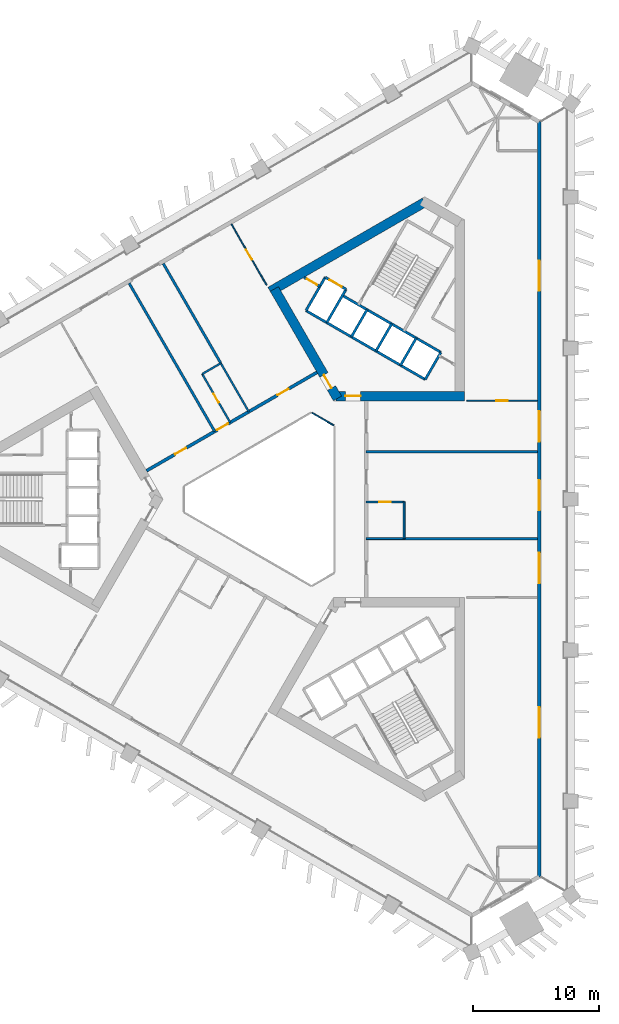
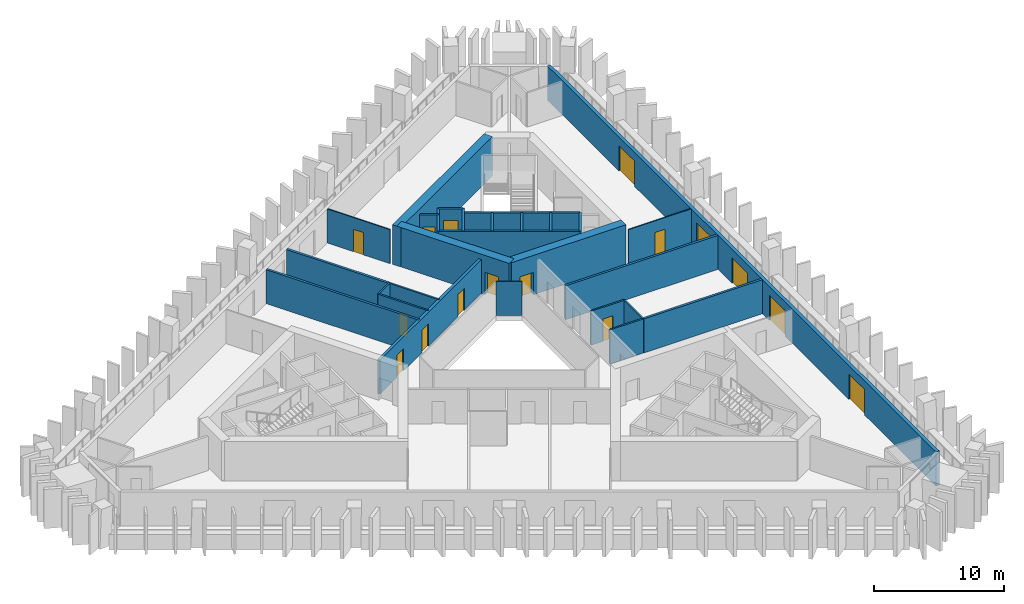
# One storey, part 5 of 10: 28 walls, 16 doors, 16 openings.
"""IFC4 building model written with IfcOpenShell, lengths in metres."""

from ifc_helpers import new_model, si_unit, direction, frame, frame_2d, origin, place, context, subcontext, project, spatial, rectangle, extrude, material, layer, layer_set, type_object, element, fill, save


model = new_model("IFC4")

# Units and contexts
model_context = context("Model", 3, precision=1e-05, world=origin(), true_north=direction((0.0, 1.0)))
body_context = subcontext(model_context, "Body", "Model", "MODEL_VIEW")
ifc_project = project(units=[si_unit("LENGTHUNIT", "METRE"), si_unit("AREAUNIT", "SQUARE_METRE"), si_unit("VOLUMEUNIT", "CUBIC_METRE"), si_unit("PLANEANGLEUNIT", "RADIAN"), si_unit("MASSUNIT", "GRAM", prefix="KILO")], contexts=[model_context])

# Site, building, storey
site_placement = place(None, origin())
site = spatial("IfcSite", under=ifc_project, at=site_placement, CompositionType="ELEMENT")
building_placement = place(site_placement, origin())
building = spatial("IfcBuilding", under=site, at=building_placement, Name="Jabali Bay Hotel Tower and Convention Centre", CompositionType="ELEMENT")
storey_placement = place(building_placement, frame((0.0, 0.0, 64.699951171875)))
storey = spatial("IfcBuildingStorey", under=building, at=storey_placement, Name="L14", CompositionType="ELEMENT", Elevation=64.699951171875)

# Wall
ifc_material_1 = material(Name="Fire-resistant glazing", Category="glass")
ifc_layer_1 = layer(ifc_material_1, 0.10009765625)
ifc_layer_set_1 = layer_set([ifc_layer_1], Name="Fire-resistant glazing")
wall_type_1 = type_object("IfcWallType", Name="Atrium glazed screen 100", PredefinedType="PARTITIONING", material=ifc_layer_set_1)
wall_1_placement = place(storey_placement, frame((79.530029296875, 85.84619140625, 0.0), z_axis=(0.0, 0.0, 1.0), x_axis=(-0.866041268327, 0.499972520799, 0.0)))
element("IfcWall", 1, at=wall_1_placement, inside=storey, type_object=wall_type_1, Name="Atrium screen 2 L14", PredefinedType="PARTITIONING", context=body_context, shape_type="SweptSolid", body=[
    extrude(rectangle(XDim=2.0, YDim=0.10009765625, at=frame_2d((1.0, 0.0))), origin(), (0.0, 0.0, 1.0), 3.199951171875),
])

# Wall, opening, door
ifc_material_2 = material(Name="Concrete C40", Category="concrete")
ifc_layer_2 = layer(ifc_material_2, 0.199951171875)
ifc_layer_set_2 = layer_set([ifc_layer_2], Name="Concrete C40")
wall_type_2 = type_object("IfcWallType", Name="Core partition wall 200", PredefinedType="PARTITIONING", material=ifc_layer_set_2)
wall_2_placement = place(storey_placement, frame((78.43017578125, 96.84130859375, 0.0), z_axis=(0.0, 0.0, 1.0), x_axis=(-0.866045896294, 0.499964504253, 0.0)))
wall_2 = element("IfcWall", 2, at=wall_2_placement, inside=storey, type_object=wall_type_2, Name="Core wall 1.12 L14", PredefinedType="PARTITIONING", context=body_context, shape_type="SweptSolid", body=[
    extrude(rectangle(XDim=1.455078125, YDim=0.199951171875, at=frame_2d((0.7275390625, 0.0))), origin(), (0.0, 0.0, 1.0), 3.199951171875),
])
opening_1_placement = place(wall_2_placement, frame((0.277587890625, 0.0, 0.0)))
opening_1 = element("IfcOpeningElement", 3, at=opening_1_placement, cuts=wall_2, Name="Opening D374", PredefinedType="OPENING", context=body_context, shape_type="SweptSolid", body=[
    extrude(rectangle(XDim=0.89990234375, YDim=2.10009765625, at=frame_2d((0.449951171875, 1.050048828125))), frame((0.0, 0.1103515625, 0.0), z_axis=(0.0, -1.0, 0.0), x_axis=(1.0, 0.0, 0.0)), (0.0, 0.0, 1.0), 0.220947265625),
])
ifc_material_3 = material(Name="Fire-rated steel door", Category="steel")
door_type_1 = type_object("IfcDoorType", Name="Vestibule fire door 900 x 2100", OperationType="NOTDEFINED", PredefinedType="NOTDEFINED", material=ifc_material_3)
door_1_placement = place(opening_1_placement, origin())
door_1 = element("IfcDoor", 4, at=door_1_placement, inside=storey, type_object=door_type_1, Name="Vestibule fire door D374", OperationType="SINGLE_SWING_LEFT", OverallHeight=2.10009765625, OverallWidth=0.89990234375, PredefinedType="NOTDEFINED", context=body_context, shape_type="SweptSolid", body=[
    extrude(rectangle(XDim=0.89990234375, YDim=2.10009765625, at=frame_2d((0.449951171875, 1.050048828125))), frame((0.0, 0.02490234375, 0.0), z_axis=(0.0, -1.0, 0.0), x_axis=(1.0, 0.0, 0.0)), (0.0, 0.0, 1.0), 0.050048828125),
])
fill(opening_1, door_1)

# Walls
ifc_layer_3 = layer(ifc_material_2, 0.199951171875)
ifc_layer_set_3 = layer_set([ifc_layer_3], Name="Concrete C40")
wall_type_3 = type_object("IfcWallType", Name="Core stair wall 200", PredefinedType="SOLIDWALL", material=ifc_layer_set_3)
for number, where, z_axis, x_axis, name in (
    (5, (86.769775390625, 89.48583984375, 0.0), (0.0, 0.0, 1.0), (0.499961042966, 0.86604789447, 0.0), "Core wall 1.0 L14"),
    (6, (84.8212890625, 90.61083984375, 0.0), (0.0, 0.0, 1.0), (0.499961042966, 0.86604789447, 0.0), "Core wall 1.2 L14"),
    (7, (82.872802734375, 91.73583984375, 0.0), (0.0, 0.0, 1.0), (0.499961042966, 0.86604789447, 0.0), "Core wall 1.4 L14"),
    (8, (80.924072265625, 92.86083984375, 0.0), (0.0, 0.0, 1.0), (0.499961042966, 0.86604789447, 0.0), "Core wall 1.6 L14"),
):
    element("IfcWall", number, at=place(storey_placement, frame(where, z_axis=z_axis, x_axis=x_axis)), inside=storey, type_object=wall_type_3, Name=name, PredefinedType="SOLIDWALL", context=body_context, shape_type="SweptSolid", body=[
        extrude(rectangle(XDim=2.480224609375, YDim=0.199951171875, at=frame_2d((1.240234375, 0.0))), origin(), (0.0, 0.0, 1.0), 3.199951171875),
    ])
for number, where, z_axis, x_axis, name in (
    (9, (78.9755859375, 93.98583984375, 0.0), (0.0, 0.0, 1.0), (0.499944174705, 0.866057632134, 0.0), "Core wall 1.8 L14"),
    (10, (77.330078125, 94.93603515625, 0.0), (0.0, 0.0, 1.0), (0.500038867431, 0.8660029625, 0.0), "Core wall 1.9 L14"),
):
    element("IfcWall", number, at=place(storey_placement, frame(where, z_axis=z_axis, x_axis=x_axis)), inside=storey, type_object=wall_type_3, Name=name, PredefinedType="SOLIDWALL", context=body_context, shape_type="SweptSolid", body=[
        extrude(rectangle(XDim=3.050048828125, YDim=0.199951171875, at=frame_2d((1.52490234375, 0.0))), origin(), (0.0, 0.0, 1.0), 3.199951171875),
    ])
wall_3_placement = place(storey_placement, frame((86.769775390625, 89.48583984375, 0.0), z_axis=(0.0, 0.0, 1.0), x_axis=(-0.86601811187, 0.500012629753, 0.0)))
element("IfcWall", 11, at=wall_3_placement, inside=storey, type_object=wall_type_3, Name="Core wall 1.10 L14", PredefinedType="SOLIDWALL", context=body_context, shape_type="SweptSolid", body=[
    extrude(rectangle(XDim=10.900146484375, YDim=0.199951171875, at=frame_2d((5.4501953125, 0.0))), origin(), (0.0, 0.0, 1.0), 3.199951171875),
])
wall_4_placement = place(storey_placement, frame((88.009765625, 91.6337890625, 0.0), z_axis=(0.0, 0.0, 1.0), x_axis=(-0.866024315419, 0.5000018851, 0.0)))
element("IfcWall", 12, at=wall_4_placement, inside=storey, type_object=wall_type_3, Name="Core wall 1.13 L14", PredefinedType="SOLIDWALL", context=body_context, shape_type="SweptSolid", body=[
    extrude(rectangle(XDim=9.0, YDim=0.199951171875, at=frame_2d((4.5, 0.0))), origin(), (0.0, 0.0, 1.0), 3.199951171875),
])

# Wall, opening, door
wall_5_placement = place(storey_placement, frame((80.50048828125, 96.62744140625, 0.0), z_axis=(0.0, 0.0, 1.0), x_axis=(-0.86601224135, 0.500022797313, 0.0)))
wall_5 = element("IfcWall", 13, at=wall_5_placement, inside=storey, type_object=wall_type_3, Name="Core wall 1.14 L14", PredefinedType="SOLIDWALL", context=body_context, shape_type="SweptSolid", body=[
    extrude(rectangle(XDim=1.89990234375, YDim=0.199951171875, at=frame_2d((0.949951171875, 0.0))), origin(), (0.0, 0.0, 1.0), 3.199951171875),
])
opening_2_placement = place(wall_5_placement, frame((0.39990234375, 0.0, 0.0)))
opening_2 = element("IfcOpeningElement", 14, at=opening_2_placement, cuts=wall_5, Name="Opening LD10-L14", PredefinedType="OPENING", context=body_context, shape_type="SweptSolid", body=[
    extrude(rectangle(XDim=1.10009765625, YDim=2.10009765625, at=frame_2d((0.550048828125, 1.050048828125))), frame((0.0, 0.1103515625, 0.0), z_axis=(0.0, -1.0, 0.0), x_axis=(1.0, 0.0, 0.0)), (0.0, 0.0, 1.0), 0.220947265625),
])
ifc_material_4 = material(Name="Stainless steel landing door", Category="steel")
door_type_2 = type_object("IfcDoorType", Name="Landing door 1100 x 2100", OperationType="NOTDEFINED", PredefinedType="NOTDEFINED", material=ifc_material_4)
door_2_placement = place(opening_2_placement, origin())
door_2 = element("IfcDoor", 15, at=door_2_placement, inside=storey, type_object=door_type_2, Name="Landing doors LD10-L14", OperationType="SLIDING_TO_RIGHT", OverallHeight=2.10009765625, OverallWidth=1.10009765625, PredefinedType="NOTDEFINED", context=body_context, shape_type="SweptSolid", body=[
    extrude(rectangle(XDim=1.10009765625, YDim=2.10009765625, at=frame_2d((0.550048828125, 1.050048828125))), frame((0.0, 0.02490234375, 0.0), z_axis=(0.0, -1.0, 0.0), x_axis=(1.0, 0.0, 0.0)), (0.0, 0.0, 1.0), 0.050048828125),
])
fill(opening_2, door_2)

ifc_material_5 = material(Name="Concrete C60", Category="concrete")
ifc_layer_4 = layer(ifc_material_5, 0.75)
ifc_layer_set_4 = layer_set([ifc_layer_4], Name="Concrete C60")
wall_type_4 = type_object("IfcWallType", Name="Core wall 750", PredefinedType="SHEAR", material=ifc_layer_set_4)
wall_6_placement = place(storey_placement, frame((79.716552734375, 88.169189453125, 0.0), z_axis=(0.0, 0.0, 1.0), x_axis=(1.0, 0.0, 0.0)))
wall_6 = element("IfcWall", 16, at=wall_6_placement, inside=storey, type_object=wall_type_4, Name="Core wall 2.1 L14", PredefinedType="SHEAR", context=body_context, shape_type="SweptSolid", body=[
    extrude(rectangle(XDim=10.163330078125, YDim=0.75, at=frame_2d((5.08154296875, 0.0))), origin(), (0.0, 0.0, 1.0), 3.699951171875),
])
opening_3_placement = place(wall_6_placement, frame((0.7333984375, 0.0, 0.0)))
opening_3 = element("IfcOpeningElement", 17, at=opening_3_placement, cuts=wall_6, Name="Opening D372", PredefinedType="OPENING", context=body_context, shape_type="SweptSolid", body=[
    extrude(rectangle(XDim=1.199951171875, YDim=2.10009765625, at=frame_2d((0.60009765625, 1.050048828125))), frame((0.0, 0.385498046875, 0.0), z_axis=(0.0, -1.0, 0.0), x_axis=(1.0, 0.0, 0.0)), (0.0, 0.0, 1.0), 0.77099609375),
])
door_type_3 = type_object("IfcDoorType", Name="Corridor end fire door 1200 x 2100", OperationType="NOTDEFINED", PredefinedType="NOTDEFINED", material=ifc_material_3)
door_3_placement = place(opening_3_placement, origin())
door_3 = element("IfcDoor", 18, at=door_3_placement, inside=storey, type_object=door_type_3, Name="Corridor end fire door D372", OperationType="SINGLE_SWING_RIGHT", OverallHeight=2.10009765625, OverallWidth=1.199951171875, PredefinedType="NOTDEFINED", context=body_context, shape_type="SweptSolid", body=[
    extrude(rectangle(XDim=1.199951171875, YDim=2.10009765625, at=frame_2d((0.60009765625, 1.050048828125))), frame((0.0, 0.02490234375, 0.0), z_axis=(0.0, -1.0, 0.0), x_axis=(1.0, 0.0, 0.0)), (0.0, 0.0, 1.0), 0.050048828125),
])
fill(opening_3, door_3)

# Wall
wall_7_placement = place(storey_placement, frame((86.72314453125, 103.517333984375, 0.0), z_axis=(0.0, 0.0, 1.0), x_axis=(-0.866020851292, -0.500007885066, 0.0)))
element("IfcWall", 19, at=wall_7_placement, inside=storey, type_object=wall_type_4, Name="Core wall 2.4 L14", PredefinedType="SHEAR", context=body_context, shape_type="SweptSolid", body=[
    extrude(rectangle(XDim=14.116943359375, YDim=0.75, at=frame_2d((7.05859375, 0.0))), origin(), (0.0, 0.0, 1.0), 3.699951171875),
])

# Wall, opening, door
wall_8_placement = place(storey_placement, frame((74.822265625, 96.646240234375, 0.0), z_axis=(0.0, 0.0, 1.0), x_axis=(0.499997052475, -0.866027105532, 0.0)))
wall_8 = element("IfcWall", 20, at=wall_8_placement, inside=storey, type_object=wall_type_4, Name="Core wall 2.5 L14", PredefinedType="SHEAR", context=body_context, shape_type="SweptSolid", body=[
    extrude(rectangle(XDim=10.0048828125, YDim=0.75, at=frame_2d((5.00244140625, 0.0))), origin(), (0.0, 0.0, 1.0), 3.699951171875),
])
opening_4_placement = place(wall_8_placement, frame((7.85498046875, 0.0, 0.0)))
opening_4 = element("IfcOpeningElement", 21, at=opening_4_placement, cuts=wall_8, Name="Opening D373", PredefinedType="OPENING", context=body_context, shape_type="SweptSolid", body=[
    extrude(rectangle(XDim=1.199951171875, YDim=2.10009765625, at=frame_2d((0.60009765625, 1.050048828125))), frame((0.0, 0.385498046875, 0.0), z_axis=(0.0, -1.0, 0.0), x_axis=(1.0, 0.0, 0.0)), (0.0, 0.0, 1.0), 0.77099609375),
])
door_4_placement = place(opening_4_placement, origin())
door_4 = element("IfcDoor", 22, at=door_4_placement, inside=storey, type_object=door_type_3, Name="Corridor end fire door D373", OperationType="SINGLE_SWING_LEFT", OverallHeight=2.10009765625, OverallWidth=1.199951171875, PredefinedType="NOTDEFINED", context=body_context, shape_type="SweptSolid", body=[
    extrude(rectangle(XDim=1.199951171875, YDim=2.10009765625, at=frame_2d((0.60009765625, 1.050048828125))), frame((0.0, 0.02490234375, 0.0), z_axis=(0.0, -1.0, 0.0), x_axis=(1.0, 0.0, 0.0)), (0.0, 0.0, 1.0), 0.050048828125),
])
fill(opening_4, door_4)

# Wall, openings, doors
ifc_layer_5 = layer(ifc_material_5, 0.25)
ifc_layer_set_5 = layer_set([ifc_layer_5], Name="Concrete C60")
wall_type_5 = type_object("IfcWallType", Name="Corridor wall 250", PredefinedType="SHEAR", material=ifc_layer_set_5)
wall_9_placement = place(storey_placement, frame((78.199951171875, 90.0458984375, 0.0), z_axis=(0.0, 0.0, 1.0), x_axis=(-0.866026492143, -0.499998114903, 0.0)))
wall_9 = element("IfcWall", 23, at=wall_9_placement, inside=storey, type_object=wall_type_5, Name="Corridor wall 2 L14", PredefinedType="SHEAR", context=body_context, shape_type="SweptSolid", body=[
    extrude(rectangle(XDim=15.58837890625, YDim=0.25, at=frame_2d((7.794189453125, 0.0))), origin(), (0.0, 0.0, 1.0), 3.199951171875),
])
opening_5_placement = place(wall_9_placement, frame((2.61767578125, 0.0, 0.0)))
opening_5 = element("IfcOpeningElement", 24, at=opening_5_placement, cuts=wall_9, Name="Opening 1409", PredefinedType="OPENING", context=body_context, shape_type="SweptSolid", body=[
    extrude(rectangle(XDim=1.0, YDim=2.10009765625, at=frame_2d((0.5, 1.050048828125))), frame((0.0, 0.135498046875, 0.0), z_axis=(0.0, -1.0, 0.0), x_axis=(1.0, 0.0, 0.0)), (0.0, 0.0, 1.0), 0.27099609375),
])
opening_6_placement = place(wall_9_placement, frame((8.133056640625, 0.0, 0.0)))
opening_6 = element("IfcOpeningElement", 25, at=opening_6_placement, cuts=wall_9, Name="Opening 1413", PredefinedType="OPENING", context=body_context, shape_type="SweptSolid", body=[
    extrude(rectangle(XDim=1.0, YDim=2.10009765625, at=frame_2d((0.5, 1.050048828125))), frame((0.0, 0.135498046875, 0.0), z_axis=(0.0, -1.0, 0.0), x_axis=(1.0, 0.0, 0.0)), (0.0, 0.0, 1.0), 0.27099609375),
])
opening_7_placement = place(wall_9_placement, frame((11.970703125, 0.0, 0.0)))
opening_7 = element("IfcOpeningElement", 26, at=opening_7_placement, cuts=wall_9, Name="Opening 1414", PredefinedType="OPENING", context=body_context, shape_type="SweptSolid", body=[
    extrude(rectangle(XDim=1.0, YDim=2.10009765625, at=frame_2d((0.5, 1.050048828125))), frame((0.0, 0.135498046875, 0.0), z_axis=(0.0, -1.0, 0.0), x_axis=(1.0, 0.0, 0.0)), (0.0, 0.0, 1.0), 0.27099609375),
])
ifc_material_6 = material(Name="Timber", Category="wood")
door_type_4 = type_object("IfcDoorType", Name="Guest room door 1000 x 2100", OperationType="NOTDEFINED", PredefinedType="NOTDEFINED", material=ifc_material_6)
door_5_placement = place(opening_5_placement, origin())
door_5 = element("IfcDoor", 27, at=door_5_placement, inside=storey, type_object=door_type_4, Name="Door 1409", OperationType="SINGLE_SWING_LEFT", OverallHeight=2.10009765625, OverallWidth=1.0, PredefinedType="NOTDEFINED", context=body_context, shape_type="SweptSolid", body=[
    extrude(rectangle(XDim=1.0, YDim=2.10009765625, at=frame_2d((0.5, 1.050048828125))), frame((0.0, 0.02490234375, 0.0), z_axis=(0.0, -1.0, 0.0), x_axis=(1.0, 0.0, 0.0)), (0.0, 0.0, 1.0), 0.050048828125),
])
fill(opening_5, door_5)
door_6_placement = place(opening_6_placement, origin())
door_6 = element("IfcDoor", 28, at=door_6_placement, inside=storey, type_object=door_type_4, Name="Door 1413", OperationType="SINGLE_SWING_RIGHT", OverallHeight=2.10009765625, OverallWidth=1.0, PredefinedType="NOTDEFINED", context=body_context, shape_type="SweptSolid", body=[
    extrude(rectangle(XDim=1.0, YDim=2.10009765625, at=frame_2d((0.5, 1.050048828125))), frame((0.0, 0.02490234375, 0.0), z_axis=(0.0, -1.0, 0.0), x_axis=(1.0, 0.0, 0.0)), (0.0, 0.0, 1.0), 0.050048828125),
])
fill(opening_6, door_6)
door_7_placement = place(opening_7_placement, origin())
door_7 = element("IfcDoor", 29, at=door_7_placement, inside=storey, type_object=door_type_4, Name="Door 1414", OperationType="SINGLE_SWING_RIGHT", OverallHeight=2.10009765625, OverallWidth=1.0, PredefinedType="NOTDEFINED", context=body_context, shape_type="SweptSolid", body=[
    extrude(rectangle(XDim=1.0, YDim=2.10009765625, at=frame_2d((0.5, 1.050048828125))), frame((0.0, 0.02490234375, 0.0), z_axis=(0.0, -1.0, 0.0), x_axis=(1.0, 0.0, 0.0)), (0.0, 0.0, 1.0), 0.050048828125),
])
fill(opening_7, door_7)

ifc_layer_6 = layer(ifc_material_2, 0.300048828125)
ifc_layer_set_6 = layer_set([ifc_layer_6], Name="Concrete C40")
wall_type_6 = type_object("IfcWallType", Name="External wall 300", PredefinedType="SOLIDWALL", material=ifc_layer_set_6)
wall_10_placement = place(storey_placement, frame((95.799560546875, 109.9052734375, 0.0), z_axis=(0.0, 0.0, 1.0), x_axis=(0.0, -1.0, 0.0)))
wall_10 = element("IfcWall", 30, at=wall_10_placement, inside=storey, type_object=wall_type_6, Name="External wall east face L14", PredefinedType="SOLIDWALL", context=body_context, shape_type="SweptSolid", body=[
    extrude(rectangle(XDim=59.810546875, YDim=0.300048828125, at=frame_2d((29.9052734375, 0.0))), origin(), (0.0, 0.0, 1.0), 3.199951171875),
])
opening_8_placement = place(wall_10_placement, frame((28.3935546875, 0.0, 0.0)))
opening_8 = element("IfcOpeningElement", 31, at=opening_8_placement, cuts=wall_10, Name="Opening SD1", PredefinedType="OPENING", context=body_context, shape_type="SweptSolid", body=[
    extrude(rectangle(XDim=2.39990234375, YDim=2.39990234375, at=frame_2d((1.199951171875, 1.199951171875))), frame((0.0, 0.16064453125, 0.0), z_axis=(0.0, -1.0, 0.0), x_axis=(1.0, 0.0, 0.0)), (0.0, 0.0, 1.0), 0.321044921875),
])
opening_9_placement = place(wall_10_placement, frame((34.1611328125, 0.0, 0.0)))
opening_9 = element("IfcOpeningElement", 32, at=opening_9_placement, cuts=wall_10, Name="Opening SD1", PredefinedType="OPENING", context=body_context, shape_type="SweptSolid", body=[
    extrude(rectangle(XDim=2.39990234375, YDim=2.39990234375, at=frame_2d((1.199951171875, 1.199951171875))), frame((0.0, 0.16064453125, 0.0), z_axis=(0.0, -1.0, 0.0), x_axis=(1.0, 0.0, 0.0)), (0.0, 0.0, 1.0), 0.321044921875),
])
opening_10_placement = place(wall_10_placement, frame((46.39404296875, 0.0, 0.0)))
opening_10 = element("IfcOpeningElement", 33, at=opening_10_placement, cuts=wall_10, Name="Opening SD1", PredefinedType="OPENING", context=body_context, shape_type="SweptSolid", body=[
    extrude(rectangle(XDim=2.39990234375, YDim=2.39990234375, at=frame_2d((1.199951171875, 1.199951171875))), frame((0.0, 0.16064453125, 0.0), z_axis=(0.0, -1.0, 0.0), x_axis=(1.0, 0.0, 0.0)), (0.0, 0.0, 1.0), 0.321044921875),
])
opening_11_placement = place(wall_10_placement, frame((22.9375, 0.0, 0.0)))
opening_11 = element("IfcOpeningElement", 34, at=opening_11_placement, cuts=wall_10, Name="Opening SD1", PredefinedType="OPENING", context=body_context, shape_type="SweptSolid", body=[
    extrude(rectangle(XDim=2.39990234375, YDim=2.39990234375, at=frame_2d((1.199951171875, 1.199951171875))), frame((0.0, 0.16064453125, 0.0), z_axis=(0.0, -1.0, 0.0), x_axis=(1.0, 0.0, 0.0)), (0.0, 0.0, 1.0), 0.321044921875),
])
opening_12_placement = place(wall_10_placement, frame((11.002197265625, 0.0, 0.0)))
opening_12 = element("IfcOpeningElement", 35, at=opening_12_placement, cuts=wall_10, Name="Opening SD1", PredefinedType="OPENING", context=body_context, shape_type="SweptSolid", body=[
    extrude(rectangle(XDim=2.39990234375, YDim=2.39990234375, at=frame_2d((1.199951171875, 1.199951171875))), frame((0.0, 0.16064453125, 0.0), z_axis=(0.0, -1.0, 0.0), x_axis=(1.0, 0.0, 0.0)), (0.0, 0.0, 1.0), 0.321044921875),
])
ifc_material_7 = material(Name="Glass", Category="glass")
door_type_5 = type_object("IfcDoorType", Name="Loggia sliding door 2400 x 2400", OperationType="NOTDEFINED", PredefinedType="NOTDEFINED", material=ifc_material_7)
door_8_placement = place(opening_8_placement, origin())
door_8 = element("IfcDoor", 36, at=door_8_placement, inside=storey, type_object=door_type_5, Name="Loggia sliding door 1402", OperationType="SLIDING_TO_LEFT", OverallHeight=2.39990234375, OverallWidth=2.39990234375, PredefinedType="NOTDEFINED", context=body_context, shape_type="SweptSolid", body=[
    extrude(rectangle(XDim=2.39990234375, YDim=2.39990234375, at=frame_2d((1.199951171875, 1.199951171875))), frame((0.0, 0.02490234375, 0.0), z_axis=(0.0, -1.0, 0.0), x_axis=(1.0, 0.0, 0.0)), (0.0, 0.0, 1.0), 0.050048828125),
])
fill(opening_8, door_8)
door_9_placement = place(opening_9_placement, origin())
door_9 = element("IfcDoor", 37, at=door_9_placement, inside=storey, type_object=door_type_5, Name="Loggia sliding door 1401", OperationType="SLIDING_TO_RIGHT", OverallHeight=2.39990234375, OverallWidth=2.39990234375, PredefinedType="NOTDEFINED", context=body_context, shape_type="SweptSolid", body=[
    extrude(rectangle(XDim=2.39990234375, YDim=2.39990234375, at=frame_2d((1.199951171875, 1.199951171875))), frame((0.0, 0.02490234375, 0.0), z_axis=(0.0, -1.0, 0.0), x_axis=(1.0, 0.0, 0.0)), (0.0, 0.0, 1.0), 0.050048828125),
])
fill(opening_9, door_9)
door_10_placement = place(opening_10_placement, origin())
door_10 = element("IfcDoor", 38, at=door_10_placement, inside=storey, type_object=door_type_5, Name="Loggia sliding door 1401", OperationType="SLIDING_TO_LEFT", OverallHeight=2.39990234375, OverallWidth=2.39990234375, PredefinedType="NOTDEFINED", context=body_context, shape_type="SweptSolid", body=[
    extrude(rectangle(XDim=2.39990234375, YDim=2.39990234375, at=frame_2d((1.199951171875, 1.199951171875))), frame((0.0, 0.02490234375, 0.0), z_axis=(0.0, -1.0, 0.0), x_axis=(1.0, 0.0, 0.0)), (0.0, 0.0, 1.0), 0.050048828125),
])
fill(opening_10, door_10)
door_11_placement = place(opening_11_placement, origin())
door_11 = element("IfcDoor", 39, at=door_11_placement, inside=storey, type_object=door_type_5, Name="Loggia sliding door 1403", OperationType="SLIDING_TO_RIGHT", OverallHeight=2.39990234375, OverallWidth=2.39990234375, PredefinedType="NOTDEFINED", context=body_context, shape_type="SweptSolid", body=[
    extrude(rectangle(XDim=2.39990234375, YDim=2.39990234375, at=frame_2d((1.199951171875, 1.199951171875))), frame((0.0, 0.02490234375, 0.0), z_axis=(0.0, -1.0, 0.0), x_axis=(1.0, 0.0, 0.0)), (0.0, 0.0, 1.0), 0.050048828125),
])
fill(opening_11, door_11)
door_12_placement = place(opening_12_placement, origin())
door_12 = element("IfcDoor", 40, at=door_12_placement, inside=storey, type_object=door_type_5, Name="Loggia sliding door 1403", OperationType="SLIDING_TO_LEFT", OverallHeight=2.39990234375, OverallWidth=2.39990234375, PredefinedType="NOTDEFINED", context=body_context, shape_type="SweptSolid", body=[
    extrude(rectangle(XDim=2.39990234375, YDim=2.39990234375, at=frame_2d((1.199951171875, 1.199951171875))), frame((0.0, 0.02490234375, 0.0), z_axis=(0.0, -1.0, 0.0), x_axis=(1.0, 0.0, 0.0)), (0.0, 0.0, 1.0), 0.050048828125),
])
fill(opening_12, door_12)

# Wall, opening, door
ifc_material_8 = material(Name="Plasterboard on steel stud", Category="steel")
ifc_layer_7 = layer(ifc_material_8, 0.10009765625)
ifc_layer_set_7 = layer_set([ifc_layer_7], Name="Plasterboard on steel stud")
wall_type_7 = type_object("IfcWallType", Name="Partition 100 unit", PredefinedType="PARTITIONING", material=ifc_layer_set_7)
wall_11_placement = place(storey_placement, frame((95.650390625, 87.794189453125, 0.0), z_axis=(0.0, 0.0, 1.0), x_axis=(-1.0, 0.0, 0.0)))
wall_11 = element("IfcWall", 41, at=wall_11_placement, inside=storey, type_object=wall_type_7, Name="Partition P02 L14 011", PredefinedType="PARTITIONING", context=body_context, shape_type="SweptSolid", body=[
    extrude(rectangle(XDim=5.5712890625, YDim=0.10009765625, at=frame_2d((2.78564453125, 0.0))), origin(), (0.0, 0.0, 1.0), 3.199951171875),
])
opening_13_placement = place(wall_11_placement, frame((2.3359375, 0.0, 0.0)))
opening_13 = element("IfcOpeningElement", 42, at=opening_13_placement, cuts=wall_11, Name="Opening 1407", PredefinedType="OPENING", context=body_context, shape_type="SweptSolid", body=[
    extrude(rectangle(XDim=0.89990234375, YDim=2.10009765625, at=frame_2d((0.449951171875, 1.050048828125))), frame((0.0, 0.060546875, 0.0), z_axis=(0.0, -1.0, 0.0), x_axis=(1.0, 0.0, 0.0)), (0.0, 0.0, 1.0), 0.12109375),
])
door_type_6 = type_object("IfcDoorType", Name="Internal door 900 x 2100", OperationType="NOTDEFINED", PredefinedType="NOTDEFINED", material=ifc_material_6)
door_13_placement = place(opening_13_placement, origin())
door_13 = element("IfcDoor", 43, at=door_13_placement, inside=storey, type_object=door_type_6, Name="Door 1407", OperationType="SINGLE_SWING_RIGHT", OverallHeight=2.10009765625, OverallWidth=0.89990234375, PredefinedType="NOTDEFINED", context=body_context, shape_type="SweptSolid", body=[
    extrude(rectangle(XDim=0.89990234375, YDim=2.10009765625, at=frame_2d((0.449951171875, 1.050048828125))), frame((0.0, 0.02490234375, 0.0), z_axis=(0.0, -1.0, 0.0), x_axis=(1.0, 0.0, 0.0)), (0.0, 0.0, 1.0), 0.050048828125),
])
fill(opening_13, door_13)

wall_12_placement = place(storey_placement, frame((74.21044921875, 96.955810546875, 0.0), z_axis=(0.0, 0.0, 1.0), x_axis=(-0.499975327912, 0.866039647752, 0.0)))
wall_12 = element("IfcWall", 44, at=wall_12_placement, inside=storey, type_object=wall_type_7, Name="Partition P02 L14 016", PredefinedType="PARTITIONING", context=body_context, shape_type="SweptSolid", body=[
    extrude(rectangle(XDim=5.571533203125, YDim=0.10009765625, at=frame_2d((2.78564453125, 0.0))), origin(), (0.0, 0.0, 1.0), 3.199951171875),
])
opening_14_placement = place(wall_12_placement, frame((2.3359375, 0.0, 0.0)))
opening_14 = element("IfcOpeningElement", 45, at=opening_14_placement, cuts=wall_12, Name="Opening 1410", PredefinedType="OPENING", context=body_context, shape_type="SweptSolid", body=[
    extrude(rectangle(XDim=0.89990234375, YDim=2.10009765625, at=frame_2d((0.449951171875, 1.050048828125))), frame((0.0, 0.060546875, 0.0), z_axis=(0.0, -1.0, 0.0), x_axis=(1.0, 0.0, 0.0)), (0.0, 0.0, 1.0), 0.12109375),
])
door_14_placement = place(opening_14_placement, origin())
door_14 = element("IfcDoor", 46, at=door_14_placement, inside=storey, type_object=door_type_6, Name="Door 1410", OperationType="SINGLE_SWING_RIGHT", OverallHeight=2.10009765625, OverallWidth=0.89990234375, PredefinedType="NOTDEFINED", context=body_context, shape_type="SweptSolid", body=[
    extrude(rectangle(XDim=0.89990234375, YDim=2.10009765625, at=frame_2d((0.449951171875, 1.050048828125))), frame((0.0, 0.02490234375, 0.0), z_axis=(0.0, -1.0, 0.0), x_axis=(1.0, 0.0, 0.0)), (0.0, 0.0, 1.0), 0.050048828125),
])
fill(opening_14, door_14)

# Wall
ifc_layer_8 = layer(ifc_material_8, 0.14990234375)
ifc_layer_set_8 = layer_set([ifc_layer_8], Name="Plasterboard on steel stud")
wall_type_8 = type_object("IfcWallType", Name="Partition 150 wet", PredefinedType="PARTITIONING", material=ifc_layer_set_8)
wall_13_placement = place(storey_placement, frame((85.10009765625, 76.88232421875, 0.0), z_axis=(0.0, 0.0, 1.0), x_axis=(-1.0, 0.0, 0.0)))
element("IfcWall", 47, at=wall_13_placement, inside=storey, type_object=wall_type_8, Name="Partition P03 L14 003", PredefinedType="PARTITIONING", context=body_context, shape_type="SweptSolid", body=[
    extrude(rectangle(XDim=3.0, YDim=0.14990234375, at=frame_2d((1.5, 0.0))), origin(), (0.0, 0.0, 1.0), 3.199951171875),
])

# Wall, opening, door
wall_14_placement = place(storey_placement, frame((82.10009765625, 79.7822265625, 0.0), z_axis=(0.0, 0.0, 1.0), x_axis=(1.0, 0.0, 0.0)))
wall_14 = element("IfcWall", 48, at=wall_14_placement, inside=storey, type_object=wall_type_8, Name="Partition P03 L14 008", PredefinedType="PARTITIONING", context=body_context, shape_type="SweptSolid", body=[
    extrude(rectangle(XDim=3.0, YDim=0.14990234375, at=frame_2d((1.5, 0.0))), origin(), (0.0, 0.0, 1.0), 3.199951171875),
])
opening_15_placement = place(wall_14_placement, frame((1.050048828125, 0.0, 0.0)))
opening_15 = element("IfcOpeningElement", 49, at=opening_15_placement, cuts=wall_14, Name="Opening 1404", PredefinedType="OPENING", context=body_context, shape_type="SweptSolid", body=[
    extrude(rectangle(XDim=0.89990234375, YDim=2.10009765625, at=frame_2d((0.449951171875, 1.050048828125))), frame((0.0, 0.08544921875, 0.0), z_axis=(0.0, -1.0, 0.0), x_axis=(1.0, 0.0, 0.0)), (0.0, 0.0, 1.0), 0.1708984375),
])
door_type_7 = type_object("IfcDoorType", Name="Accessible en-suite door 900 x 2100", OperationType="NOTDEFINED", PredefinedType="NOTDEFINED", material=ifc_material_6)
door_15_placement = place(opening_15_placement, origin())
door_15 = element("IfcDoor", 50, at=door_15_placement, inside=storey, type_object=door_type_7, Name="Door 1404", OperationType="SINGLE_SWING_LEFT", OverallHeight=2.10009765625, OverallWidth=0.89990234375, PredefinedType="NOTDEFINED", context=body_context, shape_type="SweptSolid", body=[
    extrude(rectangle(XDim=0.89990234375, YDim=2.10009765625, at=frame_2d((0.449951171875, 1.050048828125))), frame((0.0, 0.02490234375, 0.0), z_axis=(0.0, -1.0, 0.0), x_axis=(1.0, 0.0, 0.0)), (0.0, 0.0, 1.0), 0.050048828125),
])
fill(opening_15, door_15)

# Walls
wall_15_placement = place(storey_placement, frame((85.10009765625, 79.7822265625, 0.0), z_axis=(0.0, 0.0, 1.0), x_axis=(0.0, -1.0, 0.0)))
element("IfcWall", 51, at=wall_15_placement, inside=storey, type_object=wall_type_8, Name="Partition P03 L14 009", PredefinedType="PARTITIONING", context=body_context, shape_type="SweptSolid", body=[
    extrude(rectangle(XDim=2.89990234375, YDim=0.14990234375, at=frame_2d((1.449951171875, 0.0))), origin(), (0.0, 0.0, 1.0), 3.199951171875),
])
wall_16_placement = place(storey_placement, frame((70.582275390625, 90.769287109375, 0.0), z_axis=(0.0, 0.0, 1.0), x_axis=(0.500022631915, -0.866012336848, 0.0)))
element("IfcWall", 52, at=wall_16_placement, inside=storey, type_object=wall_type_8, Name="Partition P03 L14 018", PredefinedType="PARTITIONING", context=body_context, shape_type="SweptSolid", body=[
    extrude(rectangle(XDim=4.435302734375, YDim=0.14990234375, at=frame_2d((2.2177734375, 0.0))), origin(), (0.0, 0.0, 1.0), 3.199951171875),
])

# Wall, opening, door
wall_17_placement = place(storey_placement, frame((71.32763671875, 86.078125, 0.0), z_axis=(0.0, 0.0, 1.0), x_axis=(-0.499981348214, 0.86603617213, 0.0)))
wall_17 = element("IfcWall", 53, at=wall_17_placement, inside=storey, type_object=wall_type_8, Name="Partition P03 L14 022", PredefinedType="PARTITIONING", context=body_context, shape_type="SweptSolid", body=[
    extrude(rectangle(XDim=4.435302734375, YDim=0.14990234375, at=frame_2d((2.2177734375, 0.0))), origin(), (0.0, 0.0, 1.0), 3.199951171875),
])
opening_16_placement = place(wall_17_placement, frame((1.818115234375, 0.0, 0.0)))
opening_16 = element("IfcOpeningElement", 54, at=opening_16_placement, cuts=wall_17, Name="Opening 1412", PredefinedType="OPENING", context=body_context, shape_type="SweptSolid", body=[
    extrude(rectangle(XDim=0.800048828125, YDim=2.10009765625, at=frame_2d((0.39990234375, 1.050048828125))), frame((0.0, 0.08544921875, 0.0), z_axis=(0.0, -1.0, 0.0), x_axis=(1.0, 0.0, 0.0)), (0.0, 0.0, 1.0), 0.1708984375),
])
door_type_8 = type_object("IfcDoorType", Name="En-suite door 800 x 2100", OperationType="NOTDEFINED", PredefinedType="NOTDEFINED", material=ifc_material_6)
door_16_placement = place(opening_16_placement, origin())
door_16 = element("IfcDoor", 55, at=door_16_placement, inside=storey, type_object=door_type_8, Name="Door 1412", OperationType="SINGLE_SWING_LEFT", OverallHeight=2.10009765625, OverallWidth=0.800048828125, PredefinedType="NOTDEFINED", context=body_context, shape_type="SweptSolid", body=[
    extrude(rectangle(XDim=0.800048828125, YDim=2.10009765625, at=frame_2d((0.39990234375, 1.050048828125))), frame((0.0, 0.02490234375, 0.0), z_axis=(0.0, -1.0, 0.0), x_axis=(1.0, 0.0, 0.0)), (0.0, 0.0, 1.0), 0.050048828125),
])
fill(opening_16, door_16)

# Walls
wall_18_placement = place(storey_placement, frame((69.110107421875, 89.919189453125, 0.0), z_axis=(0.0, 0.0, 1.0), x_axis=(0.865989465428, 0.500062241894, 0.0)))
element("IfcWall", 56, at=wall_18_placement, inside=storey, type_object=wall_type_8, Name="Partition P03 L14 023", PredefinedType="PARTITIONING", context=body_context, shape_type="SweptSolid", body=[
    extrude(rectangle(XDim=1.699951171875, YDim=0.14990234375, at=frame_2d((0.85009765625, 0.0))), origin(), (0.0, 0.0, 1.0), 3.199951171875),
])
ifc_layer_9 = layer(ifc_material_8, 0.199951171875)
ifc_layer_set_9 = layer_set([ifc_layer_9], Name="Plasterboard on steel stud")
wall_type_9 = type_object("IfcWallType", Name="Partition 200 party", PredefinedType="PARTITIONING", material=ifc_layer_set_9)
wall_19_placement = place(storey_placement, frame((95.650390625, 76.88232421875, 0.0), z_axis=(0.0, 0.0, 1.0), x_axis=(-1.0, 0.0, 0.0)))
element("IfcWall", 57, at=wall_19_placement, inside=storey, type_object=wall_type_9, Name="Partition P01 L14 002", PredefinedType="PARTITIONING", context=body_context, shape_type="SweptSolid", body=[
    extrude(rectangle(XDim=10.55029296875, YDim=0.199951171875, at=frame_2d((5.275146484375, 0.0))), origin(), (0.0, 0.0, 1.0), 3.199951171875),
])
wall_20_placement = place(storey_placement, frame((95.650390625, 83.7412109375, 0.0), z_axis=(0.0, 0.0, 1.0), x_axis=(-1.0, 0.0, 0.0)))
element("IfcWall", 58, at=wall_20_placement, inside=storey, type_object=wall_type_9, Name="Partition P01 L14 010", PredefinedType="PARTITIONING", context=body_context, shape_type="SweptSolid", body=[
    extrude(rectangle(XDim=13.55029296875, YDim=0.199951171875, at=frame_2d((6.775146484375, 0.0))), origin(), (0.0, 0.0, 1.0), 3.199951171875),
])
wall_21_placement = place(storey_placement, frame((66.024658203125, 98.663330078125, 0.0), z_axis=(0.0, 0.0, 1.0), x_axis=(0.499999124091, -0.86602590949, 0.0)))
element("IfcWall", 59, at=wall_21_placement, inside=storey, type_object=wall_type_9, Name="Partition P01 L14 017", PredefinedType="PARTITIONING", context=body_context, shape_type="SweptSolid", body=[
    extrude(rectangle(XDim=9.115234375, YDim=0.199951171875, at=frame_2d((4.5576171875, 0.0))), origin(), (0.0, 0.0, 1.0), 3.199951171875),
])
wall_22_placement = place(storey_placement, frame((63.32470703125, 97.1044921875, 0.0), z_axis=(0.0, 0.0, 1.0), x_axis=(0.500006818652, -0.866021466998, 0.0)))
element("IfcWall", 60, at=wall_22_placement, inside=storey, type_object=wall_type_9, Name="Partition P01 L14 024", PredefinedType="PARTITIONING", context=body_context, shape_type="SweptSolid", body=[
    extrude(rectangle(XDim=13.550537109375, YDim=0.199951171875, at=frame_2d((6.775390625, 0.0))), origin(), (0.0, 0.0, 1.0), 3.199951171875),
])

save(model, "model.ifc")
